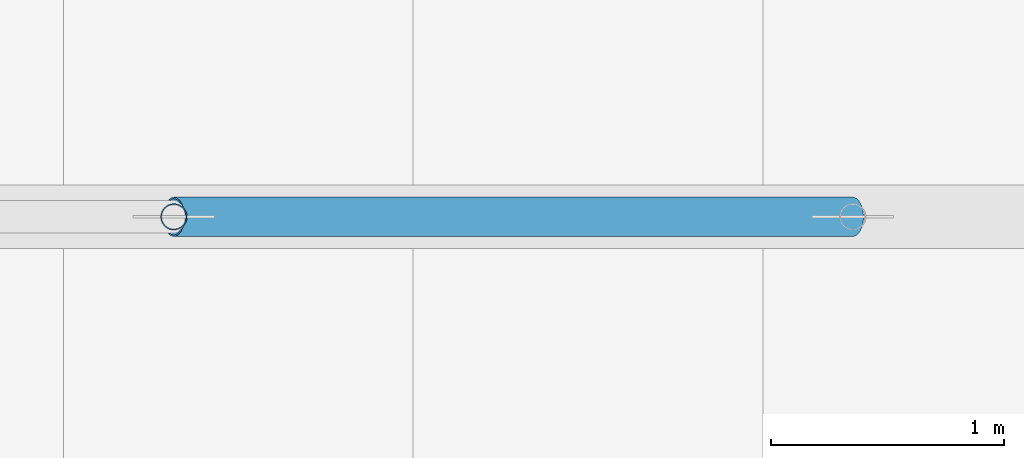
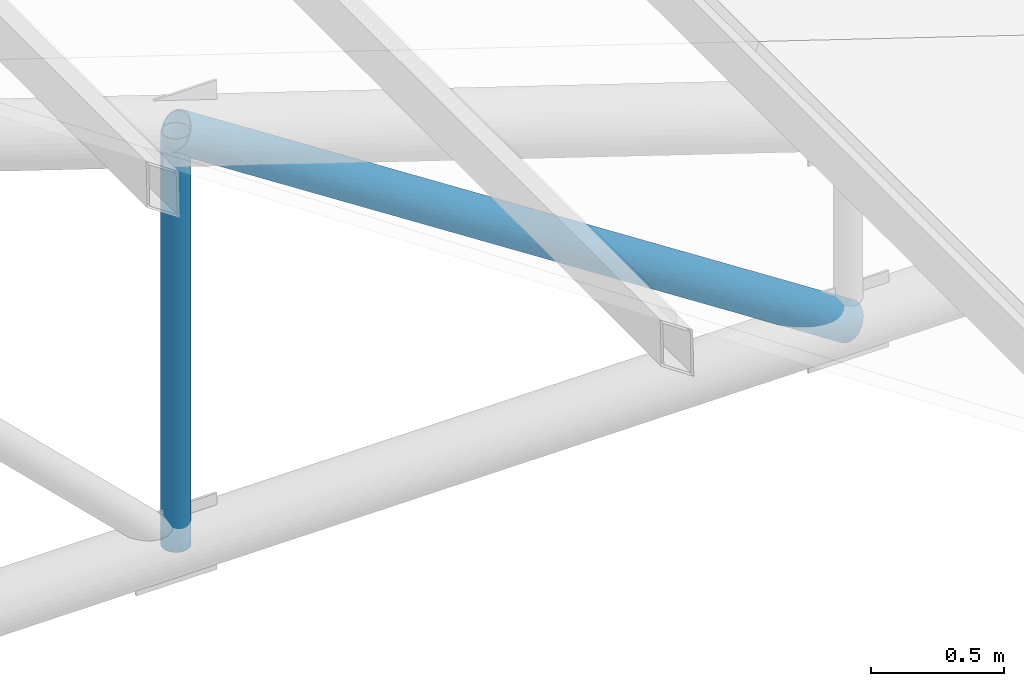
# One storey, part 35 of 95: 2 members.
"""IFC4 building model written with IfcOpenShell, lengths in metres."""

from ifc_helpers import new_model, si_unit, direction, frame, origin, origin_2d, place, context, subcontext, project, spatial, hollow_circle, extrude, material, material_profile, profile_set, type_object, element, save


model = new_model("IFC4")

# Units and contexts
model_context = context("Model", 3, precision=1e-05, world=origin(), true_north=direction((0.0, 1.0)))
body_context = subcontext(model_context, "Body", "Model", "MODEL_VIEW")
ifc_project = project(units=[si_unit("LENGTHUNIT", "METRE"), si_unit("AREAUNIT", "SQUARE_METRE"), si_unit("VOLUMEUNIT", "CUBIC_METRE"), si_unit("PLANEANGLEUNIT", "RADIAN"), si_unit("MASSUNIT", "GRAM", prefix="KILO")], contexts=[model_context])

# Site, building, storey
site_placement = place(None, origin())
site = spatial("IfcSite", under=ifc_project, at=site_placement, CompositionType="ELEMENT")
building_placement = place(site_placement, origin())
building = spatial("IfcBuilding", under=site, at=building_placement, Name="Kiln Court Media Centre", CompositionType="ELEMENT")
storey_placement = place(building_placement, frame((0.0, 0.0, 24.60009765625)))
storey = spatial("IfcBuildingStorey", under=building, at=storey_placement, Name="L05", CompositionType="ELEMENT", Elevation=24.60009765625)

# Members
ifc_material_1 = material(Name="Steel ASTM A500 Gr C", Category="steel")
ifc_material_profile_1 = material_profile(ifc_material_1, hollow_circle(Radius=0.05712890625, WallThickness=0.0048828125, at=origin_2d()), Name="CHS 114.3x5.0")
ifc_profile_set_1 = profile_set([ifc_material_profile_1], Name="Steel ASTM A500 Gr C")
member_type_1 = type_object("IfcMemberType", Name="Steel ASTM A500 Gr C CHS 114.3x5.0 truss web", PredefinedType="BRACE", material=ifc_profile_set_1)
member_1_placement = place(storey_placement, frame((52.22509765625, 46.199951171875, -0.013916015625), z_axis=(0.0, 0.0, 1.0), x_axis=(1.0, 0.0, 0.0)))
element("IfcMember", 1, at=member_1_placement, inside=storey, type_object=member_type_1, Name="foyer truss FT-06 post 6 truss web", PredefinedType="BRACE", context=body_context, shape_type="SweptSolid", body=[
    extrude(hollow_circle(Radius=0.05712890625, WallThickness=0.0048828125, at=origin_2d()), origin(), (0.0, 0.0, 1.0), 1.892822265625),
])
ifc_material_2 = material(Name="Steel ASTM A500 Gr C", Category="steel")
ifc_material_profile_2 = material_profile(ifc_material_2, hollow_circle(Radius=0.084228515625, WallThickness=0.00634765625, at=origin_2d()), Name="CHS 168.3x6.3")
ifc_profile_set_2 = profile_set([ifc_material_profile_2], Name="Steel ASTM A500 Gr C")
member_type_2 = type_object("IfcMemberType", Name="Steel ASTM A500 Gr C CHS 168.3x6.3 truss web", PredefinedType="BRACE", material=ifc_profile_set_2)
member_2_placement = place(storey_placement, frame((52.22509765625, 46.199951171875, 1.87890625), z_axis=(0.838470915332, 0.0, -0.544946349784), x_axis=(0.0, 1.0, 0.0)))
element("IfcMember", 2, at=member_2_placement, inside=storey, type_object=member_type_2, Name="foyer truss FT-06 diagonal 7 truss web", PredefinedType="BRACE", context=body_context, shape_type="SweptSolid", body=[
    extrude(hollow_circle(Radius=0.084228515625, WallThickness=0.00634765625, at=origin_2d()), origin(), (0.0, 0.0, 1.0), 3.473388671875),
])

save(model, "model.ifc")
